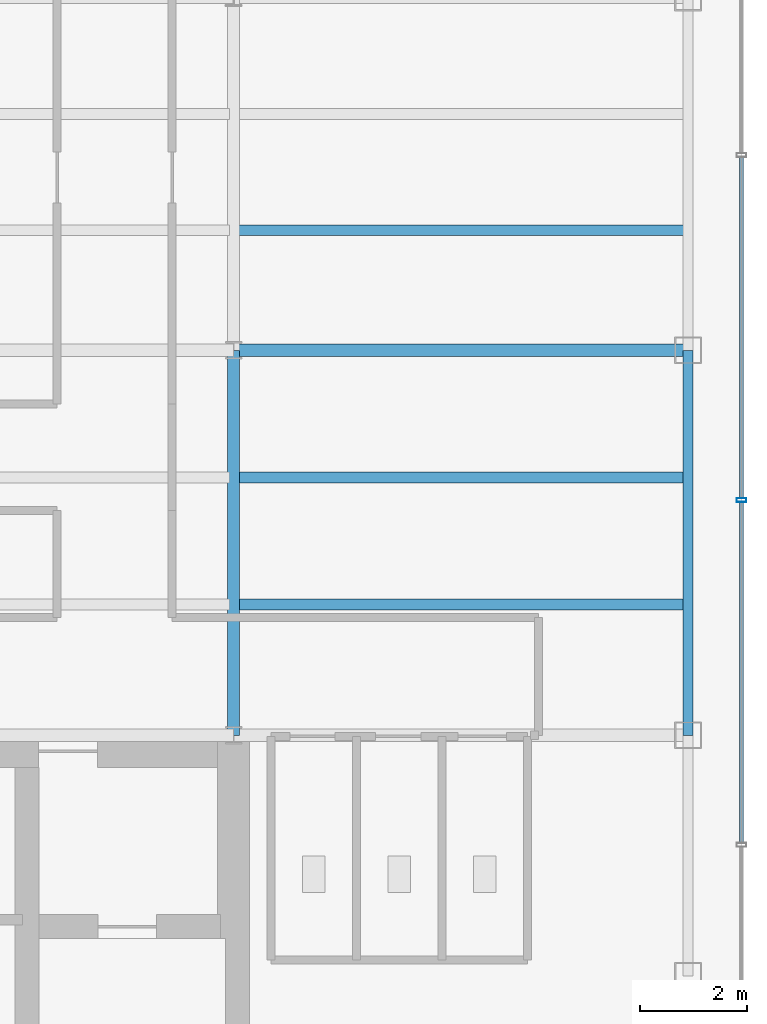
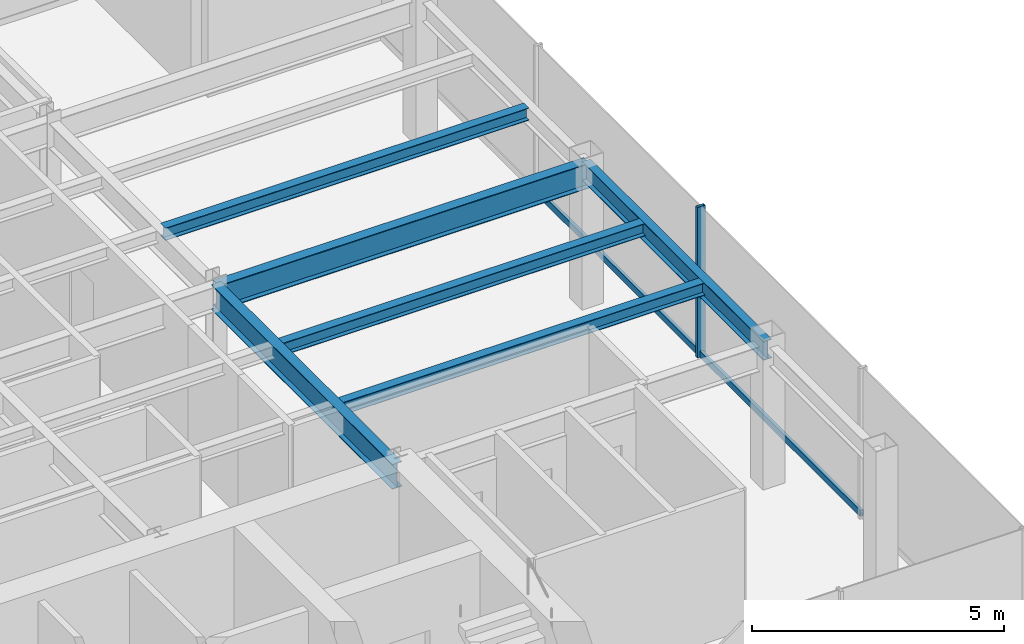
# One storey, part 10 of 22: 6 beams, 3 members, 1 element without a shape of its own.
"""IFC4 building model written with IfcOpenShell, lengths in metres."""

from ifc_helpers import new_model, si_unit, derived_unit, direction, frame, origin, origin_2d, place, context, subcontext, project, spatial, hollow_rectangle, i_section, extrude, source, transform, mapped, material, material_profile, profile_set, type_object, element, aggregate, save


model = new_model("IFC4")

# Units and contexts
model_context = context("Model", 3, precision=1e-05, world=origin(), true_north=direction((0.0, 1.0)))
body_context = subcontext(model_context, "Body", "Model", "MODEL_VIEW")
ifc_project = project(units=[si_unit("LENGTHUNIT", "METRE"), si_unit("AREAUNIT", "SQUARE_METRE"), si_unit("VOLUMEUNIT", "CUBIC_METRE"), si_unit("PLANEANGLEUNIT", "RADIAN"), si_unit("MASSUNIT", "GRAM", prefix="KILO"), derived_unit("THERMALTRANSMITTANCEUNIT", [(si_unit("POWERUNIT", "WATT"), 1), (si_unit("LENGTHUNIT", "METRE"), -2), (si_unit("THERMODYNAMICTEMPERATUREUNIT", "KELVIN"), -1)])], contexts=[model_context])

# Site, building, storey
site_placement = place(None, origin())
site = spatial("IfcSite", under=ifc_project, at=site_placement, CompositionType="ELEMENT")
building_placement = place(site_placement, origin())
building = spatial("IfcBuilding", under=site, at=building_placement, Name="Skarnbrae Concourse Arena and Tower", CompositionType="ELEMENT")
storey_placement = place(building_placement, frame((0.0, 0.0, 284.35009765625)))
storey = spatial("IfcBuildingStorey", under=building, at=storey_placement, Name="L74", CompositionType="ELEMENT", Elevation=284.35009765625)

# Beams
ifc_material_1 = material(Name="Steel CSA G40.21 350W", Category="steel")
ifc_material_profile_1 = material_profile(ifc_material_1, i_section(OverallWidth=0.22802734375, OverallDepth=0.60791015625, WebThickness=0.01123046875, FlangeThickness=0.017333984375, at=origin_2d()), Name="W610X113")
ifc_profile_set_1 = profile_set([ifc_material_profile_1], Name="Steel CSA G40.21 350W")
beam_type_1 = type_object("IfcBeamType", Name="BM-GIRD-W610X113", PredefinedType="BEAM", material=ifc_profile_set_1)
shared_shape_1 = source(origin(), body_context, "Body", "SweptSolid", [
    extrude(i_section(OverallWidth=0.22802734375, OverallDepth=0.60791015625, WebThickness=0.01123046875, FlangeThickness=0.017333984375, at=origin_2d()), origin(), (0.0, 0.0, 1.0), 8.5),
])
beam_1_placement = place(storey_placement, frame((33.5, 21.199951171875, 3.095947265625), z_axis=(1.0, 0.0, 0.0), x_axis=(0.0, 1.0, 0.0)))
element("IfcBeam", 1, at=beam_1_placement, inside=storey, type_object=beam_type_1, Name="L74 Primary E-W girder Y21.2-6", PredefinedType="BEAM", context=body_context, shape_type="MappedRepresentation", body=[
    mapped(shared_shape_1, transform((0.0, 0.0, 0.0))),
])
ifc_material_profile_2 = material_profile(ifc_material_1, i_section(OverallWidth=0.19091796875, OverallDepth=0.4599609375, WebThickness=0.010009765625, FlangeThickness=0.01611328125, at=origin_2d()), Name="W460X82")
ifc_profile_set_2 = profile_set([ifc_material_profile_2], Name="Steel CSA G40.21 350W")
beam_type_2 = type_object("IfcBeamType", Name="BM-SPAN-W460X82", PredefinedType="SPANDREL", material=ifc_profile_set_2)
shared_shape_2 = source(origin(), body_context, "Body", "SweptSolid", [
    extrude(i_section(OverallWidth=0.19091796875, OverallDepth=0.4599609375, WebThickness=0.010009765625, FlangeThickness=0.01611328125, at=origin_2d()), origin(), (0.0, 0.0, 1.0), 7.199951171875),
])
beam_2_placement = place(storey_placement, frame((42.0, 14.0, 3.169921875), z_axis=(0.0, 1.0, 0.0), x_axis=(-1.0, 0.0, 0.0)))
element("IfcBeam", 2, at=beam_2_placement, inside=storey, type_object=beam_type_2, Name="L74 Perimeter spandrel X42.0-2", PredefinedType="SPANDREL", context=body_context, shape_type="MappedRepresentation", body=[
    mapped(shared_shape_2, transform((0.0, 0.0, 0.0))),
])
shared_shape_3 = source(origin(), body_context, "Body", "SweptSolid", [
    extrude(i_section(OverallWidth=0.22802734375, OverallDepth=0.60791015625, WebThickness=0.01123046875, FlangeThickness=0.017333984375, at=origin_2d()), origin(), (0.0, 0.0, 1.0), 7.199951171875),
])
beam_3_placement = place(storey_placement, frame((33.5, 14.0, 3.095947265625), z_axis=(0.0, 1.0, 0.0), x_axis=(-1.0, 0.0, 0.0)))
element("IfcBeam", 3, at=beam_3_placement, inside=storey, type_object=beam_type_1, Name="L74 Primary N-S girder X33.5-1", PredefinedType="BEAM", context=body_context, shape_type="MappedRepresentation", body=[
    mapped(shared_shape_3, transform((0.0, 0.0, 0.0))),
])
ifc_material_profile_3 = material_profile(ifc_material_1, i_section(OverallWidth=0.202880859375, OverallDepth=0.302978515625, WebThickness=0.007568359375, FlangeThickness=0.01318359375, at=origin_2d()), Name="W310X60")
ifc_profile_set_3 = profile_set([ifc_material_profile_3], Name="Steel CSA G40.21 350W")
beam_type_3 = type_object("IfcBeamType", Name="BM-JOIST-W310X60", PredefinedType="JOIST", material=ifc_profile_set_3)
shared_shape_4 = source(origin(), body_context, "Body", "SweptSolid", [
    extrude(i_section(OverallWidth=0.202880859375, OverallDepth=0.302978515625, WebThickness=0.007568359375, FlangeThickness=0.01318359375, at=origin_2d()), origin(), (0.0, 0.0, 1.0), 8.33984375),
])
for number, where, z_axis, x_axis, name in (
    (4, (33.580078125, 16.447998046875, 3.248291015625), (1.0, 0.0, 0.0), (0.0, 1.0, 0.0), "L74 Secondary floor joist 1.1.6"),
    (5, (33.580078125, 18.823974609375, 3.248291015625), (1.0, 0.0, 0.0), (0.0, 1.0, 0.0), "L74 Secondary floor joist 1.2.6"),
    (6, (33.580078125, 23.444091796875, 3.248291015625), (1.0, 0.0, 0.0), (0.0, 1.0, 0.0), "L74 Secondary floor joist 2.1.6"),
):
    element("IfcBeam", number, at=place(storey_placement, frame(where, z_axis=z_axis, x_axis=x_axis)), inside=storey, type_object=beam_type_3, Name=name, PredefinedType="JOIST", context=body_context, shape_type="MappedRepresentation", body=[
        mapped(shared_shape_4, transform((0.0, 0.0, 0.0))),
    ])

# Curtain wall, members
ifc_material_2 = material(Name="Bronze anodised aluminium 6063-T6", Category="aluminium")
curtain_wall_type = type_object("IfcCurtainWallType", Name="CW-SYS-05-HIGHZONE", PredefinedType="USERDEFINED", material=ifc_material_2)
curtain_wall_placement = place(storey_placement, origin())
curtain_wall = element("IfcCurtainWall", 7, at=curtain_wall_placement, inside=storey, type_object=curtain_wall_type, Name="L74 Unitised curtain wall CW-L74-E04", ObjectType="UNITISED CURTAIN WALL", PredefinedType="USERDEFINED")
ifc_material_profile_4 = material_profile(ifc_material_2, hollow_rectangle(XDim=0.074951171875, YDim=0.179931640625, WallThickness=0.00390625, at=origin_2d()), Name="ALU-MULL-75X180")
ifc_profile_set_4 = profile_set([ifc_material_profile_4], Name="Bronze anodised aluminium 6063-T6")
member_type_1 = type_object("IfcMemberType", Name="CWM-CW-05", PredefinedType="MULLION", material=ifc_profile_set_4)
shared_shape_5 = source(origin(), body_context, "Body", "SweptSolid", [
    extrude(hollow_rectangle(XDim=0.074951171875, YDim=0.179931640625, WallThickness=0.00390625, at=origin_2d()), origin(), (0.0, 0.0, 1.0), 3.64990234375),
])
member_1_placement = place(storey_placement, frame((43.0, 18.39990234375, 0.0), z_axis=(0.0, 0.0, 1.0), x_axis=(0.0, 1.0, 0.0)))
member_1 = element("IfcMember", 8, at=member_1_placement, type_object=member_type_1, Name="CW-L74-E04 Mullion 3", PredefinedType="MULLION", context=body_context, shape_type="MappedRepresentation", body=[
    mapped(shared_shape_5, transform((0.0, 0.0, 0.0))),
])
ifc_material_profile_5 = material_profile(ifc_material_2, hollow_rectangle(XDim=0.074951171875, YDim=0.14990234375, WallThickness=0.00390625, at=origin_2d()), Name="ALU-TRAN-75X150")
ifc_profile_set_5 = profile_set([ifc_material_profile_5], Name="Bronze anodised aluminium 6063-T6")
member_type_2 = type_object("IfcMemberType", Name="CWT-CW-05", PredefinedType="USERDEFINED", material=ifc_profile_set_5)
shared_shape_6 = source(origin(), body_context, "Body", "SweptSolid", [
    extrude(hollow_rectangle(XDim=0.074951171875, YDim=0.14990234375, WallThickness=0.00390625, at=origin_2d()), origin(), (0.0, 0.0, 1.0), 6.375),
])
member_2_placement = place(storey_placement, frame((43.0, 11.987548828125, 0.074951171875), z_axis=(0.0, 1.0, 0.0), x_axis=(-1.0, 0.0, 0.0)))
member_2 = element("IfcMember", 9, at=member_2_placement, type_object=member_type_2, Name="CW-L74-E04 Transom 2", ObjectType="TRANSOM", PredefinedType="USERDEFINED", context=body_context, shape_type="MappedRepresentation", body=[
    mapped(shared_shape_6, transform((0.0, 0.0, 0.0))),
])
member_3_placement = place(storey_placement, frame((43.0, 18.4375, 0.074951171875), z_axis=(0.0, 1.0, 0.0), x_axis=(-1.0, 0.0, 0.0)))
member_3 = element("IfcMember", 10, at=member_3_placement, type_object=member_type_2, Name="CW-L74-E04 Transom 3", ObjectType="TRANSOM", PredefinedType="USERDEFINED", context=body_context, shape_type="MappedRepresentation", body=[
    mapped(shared_shape_6, transform((0.0, 0.0, 0.0))),
])
aggregate(curtain_wall, [member_1, member_2, member_3])

save(model, "model.ifc")
